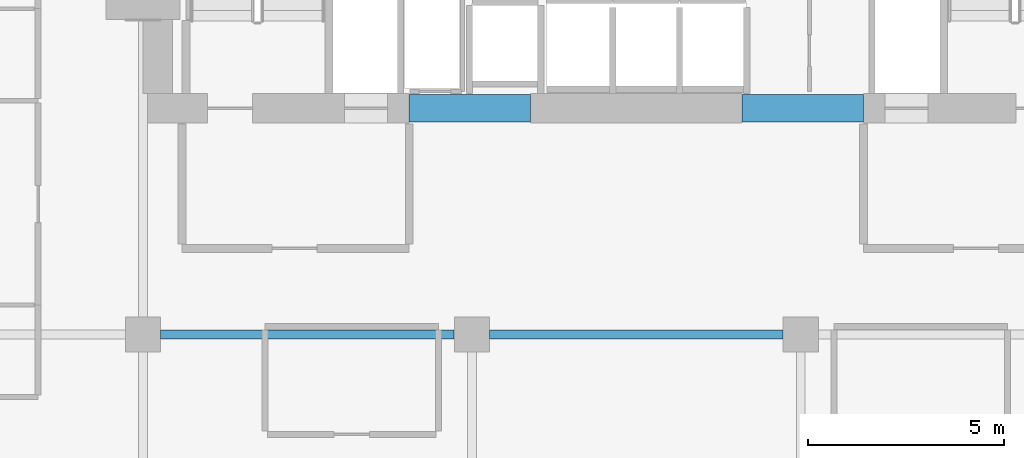
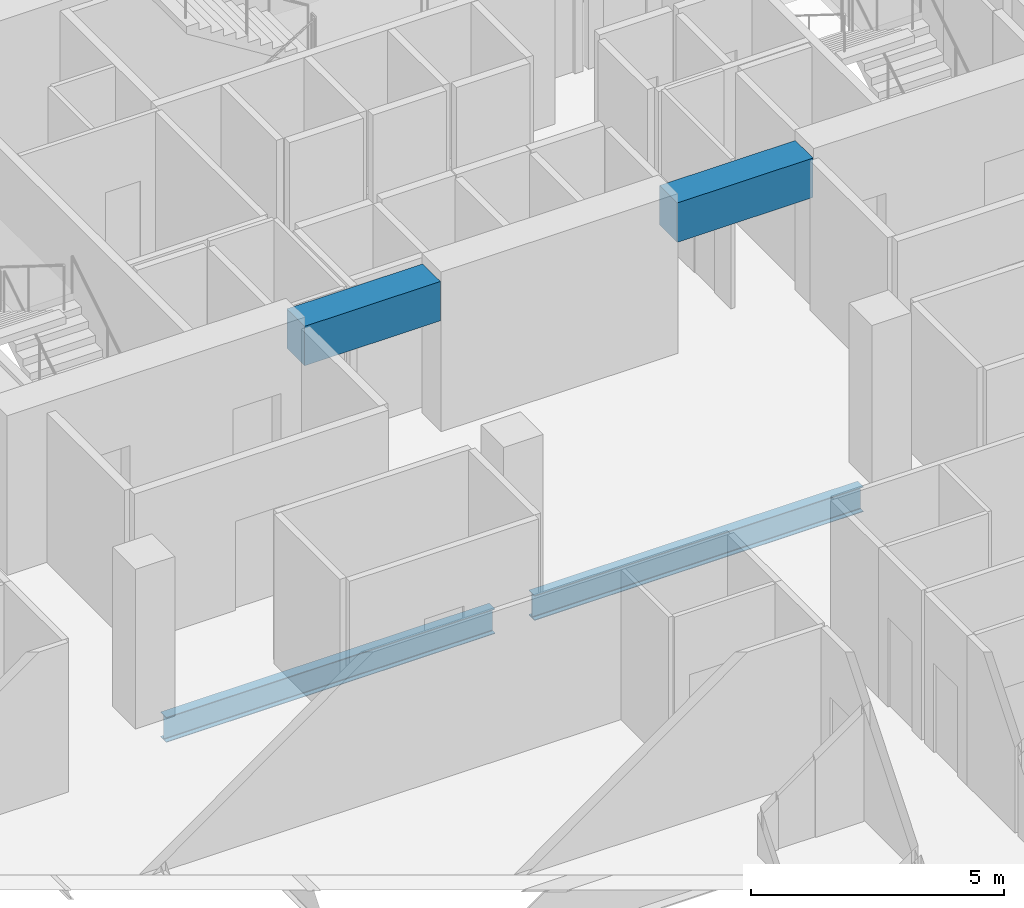
# One storey, part 21 of 34: 4 beams.
"""IFC4 building model written with IfcOpenShell, lengths in metres."""

from ifc_helpers import new_model, si_unit, direction, frame, origin, origin_2d, place, context, subcontext, project, spatial, rectangle, i_section, extrude, material, material_profile, profile_set, type_object, element, save


model = new_model("IFC4")

# Units and contexts
model_context = context("Model", 3, precision=1e-05, world=origin(), true_north=direction((0.0, 1.0)))
body_context = subcontext(model_context, "Body", "Model", "MODEL_VIEW")
ifc_project = project(units=[si_unit("LENGTHUNIT", "METRE"), si_unit("AREAUNIT", "SQUARE_METRE"), si_unit("VOLUMEUNIT", "CUBIC_METRE"), si_unit("PLANEANGLEUNIT", "RADIAN"), si_unit("MASSUNIT", "GRAM", prefix="KILO")], contexts=[model_context])

# Site, building, storey
site_placement = place(None, origin())
site = spatial("IfcSite", under=ifc_project, at=site_placement, CompositionType="ELEMENT")
building_placement = place(site_placement, origin())
building = spatial("IfcBuilding", under=site, at=building_placement, Name="Maruvema Waterfront Hotel and Observation Tower", CompositionType="ELEMENT")
storey_placement = place(building_placement, frame((0.0, 0.0, 189.0)))
storey = spatial("IfcBuildingStorey", under=building, at=storey_placement, Name="L46", CompositionType="ELEMENT", Elevation=189.0)

# Beams
ifc_material_1 = material(Name="Concrete C60/75", Category="concrete")
ifc_material_profile_1 = material_profile(ifc_material_1, rectangle(XDim=0.699951171875, YDim=0.949951171875, at=origin_2d()), Name="CB700x950")
ifc_profile_set_1 = profile_set([ifc_material_profile_1], Name="Concrete C60/75")
beam_type_1 = type_object("IfcBeamType", Name="Core Coupling Lintel Beam CB700x950", PredefinedType="LINTEL", material=ifc_profile_set_1)
for number, where, z_axis, x_axis, name in (
    (1, (32.0, 41.77490234375, 3.135009765625), (1.0, 0.0, 0.0), (0.0, 1.0, 0.0), "L46 Core Coupling Lintel Beam West"),
    (2, (40.5, 41.77490234375, 3.135009765625), (1.0, 0.0, 0.0), (0.0, 1.0, 0.0), "L46 Core Coupling Lintel Beam East"),
):
    element("IfcBeam", number, at=place(storey_placement, frame(where, z_axis=z_axis, x_axis=x_axis)), inside=storey, type_object=beam_type_1, Name=name, PredefinedType="LINTEL", context=body_context, shape_type="SweptSolid", body=[
        extrude(rectangle(XDim=0.699951171875, YDim=0.949951171875, at=origin_2d()), origin(), (0.0, 0.0, 1.0), 3.10009765625),
    ])
ifc_material_2 = material(Name="Steel ASTM A572 Grade 50", Category="steel")
ifc_material_profile_2 = material_profile(ifc_material_2, i_section(OverallWidth=0.22802734375, OverallDepth=0.60302734375, WebThickness=0.010498046875, FlangeThickness=0.014892578125, FilletRadius=0.01806640625, at=origin_2d()), Name="W610x101.0")
ifc_profile_set_2 = profile_set([ifc_material_profile_2], Name="Steel ASTM A572 Grade 50")
beam_type_2 = type_object("IfcBeamType", Name="Primary Floor Girder W610x101.0", PredefinedType="BEAM", material=ifc_profile_set_2)
for number, where, z_axis, x_axis, name in (
    (3, (25.64990234375, 36.0, -0.54150390625), (1.0, 0.0, 0.0), (0.0, 1.0, 0.0), "L46 Floor Girder EW-25"),
    (4, (34.050048828125, 36.0, -0.54150390625), (1.0, 0.0, 0.0), (0.0, 1.0, 0.0), "L46 Floor Girder EW-26"),
):
    element("IfcBeam", number, at=place(storey_placement, frame(where, z_axis=z_axis, x_axis=x_axis)), inside=storey, type_object=beam_type_2, Name=name, PredefinedType="BEAM", context=body_context, shape_type="SweptSolid", body=[
        extrude(i_section(OverallWidth=0.22802734375, OverallDepth=0.60302734375, WebThickness=0.010498046875, FlangeThickness=0.014892578125, FilletRadius=0.01806640625, at=origin_2d()), origin(), (0.0, 0.0, 1.0), 7.5),
    ])

save(model, "model.ifc")
